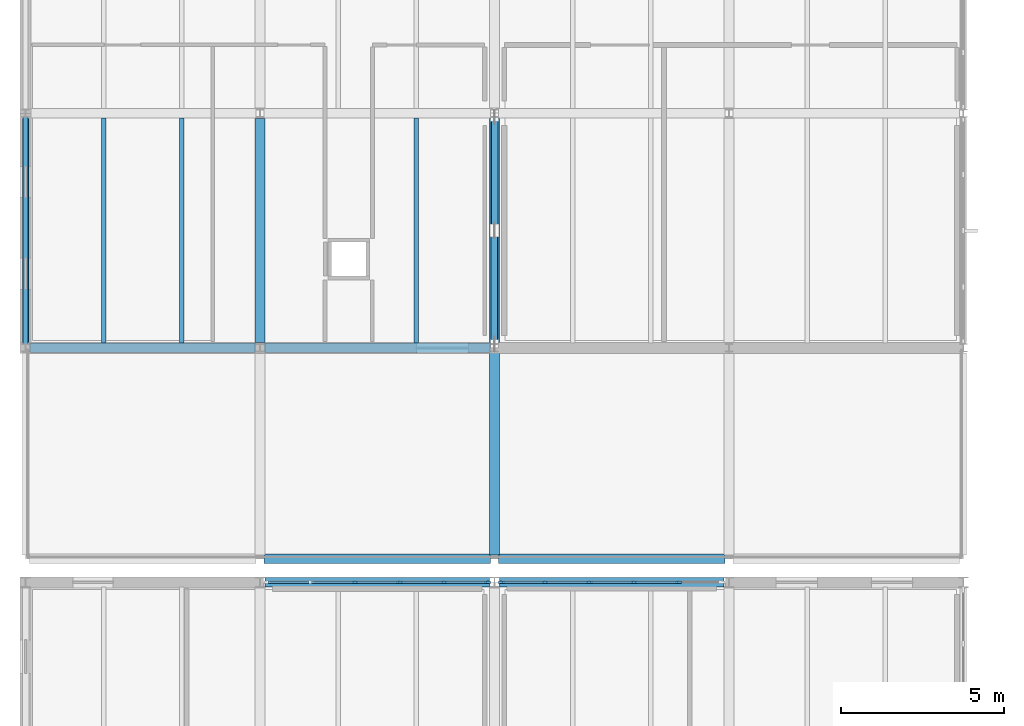
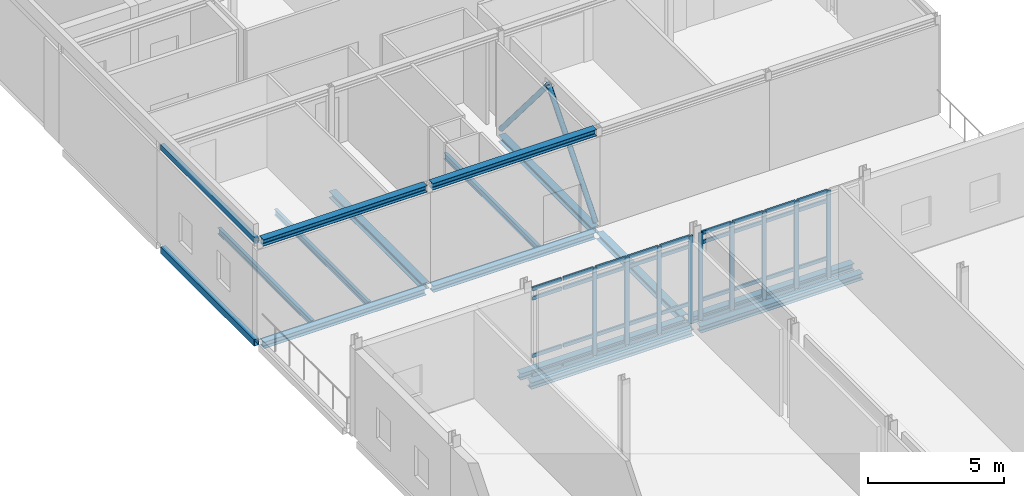
# One storey, part 14 of 53: 47 members, 16 beams, 2 elements without a shape of their own.
"""IFC4 building model written with IfcOpenShell, lengths in metres."""

from ifc_helpers import new_model, si_unit, direction, frame, origin, origin_2d, place, context, subcontext, project, spatial, rectangle, hollow_rectangle, hollow_circle, i_section, extrude, material, layer, layer_set, material_profile, profile_set, type_object, element, aggregate, save


model = new_model("IFC4")

# Units and contexts
model_context = context("Model", 3, precision=1e-05, world=origin(), true_north=direction((0.0, 1.0)))
body_context = subcontext(model_context, "Body", "Model", "MODEL_VIEW")
ifc_project = project(units=[si_unit("LENGTHUNIT", "METRE"), si_unit("AREAUNIT", "SQUARE_METRE"), si_unit("VOLUMEUNIT", "CUBIC_METRE"), si_unit("PLANEANGLEUNIT", "RADIAN"), si_unit("MASSUNIT", "GRAM", prefix="KILO")], contexts=[model_context])

# Site, building, storey
site_placement = place(None, origin())
site = spatial("IfcSite", under=ifc_project, at=site_placement, CompositionType="ELEMENT")
building_placement = place(site_placement, origin())
building = spatial("IfcBuilding", under=site, at=building_placement, Name="Zarrinpeak Specialist Clinic", CompositionType="ELEMENT")
storey_placement = place(building_placement, frame((0.0, 0.0, 14.0)))
storey = spatial("IfcBuildingStorey", under=building, at=storey_placement, Name="L03", CompositionType="ELEMENT", Elevation=14.0)

# Beams
ifc_material_1 = material(Name="Steel S355", Category="steel")
ifc_material_profile_1 = material_profile(ifc_material_1, i_section(OverallWidth=0.300048828125, OverallDepth=0.2900390625, WebThickness=0.008544921875, FlangeThickness=0.013916015625, FilletRadius=0.027099609375, at=origin_2d()), Name="HEA 300")
ifc_profile_set_1 = profile_set([ifc_material_profile_1], Name="Steel S355")
beam_type_1 = type_object("IfcBeamType", Name="BM-HEA300", PredefinedType="BEAM", material=ifc_profile_set_1)
beam_1_placement = place(storey_placement, frame((7.347900390625, 50.39990234375, -0.344970703125), z_axis=(1.0, 0.0, 0.0), x_axis=(0.0, 1.0, 0.0)))
element("IfcBeam", 1, at=beam_1_placement, inside=storey, type_object=beam_type_1, Name="L03 Primary Floor Girder BM-L03-X1546", PredefinedType="BEAM", context=body_context, shape_type="SweptSolid", body=[
    extrude(i_section(OverallWidth=0.300048828125, OverallDepth=0.2900390625, WebThickness=0.008544921875, FlangeThickness=0.013916015625, FilletRadius=0.027099609375, at=origin_2d()), origin(), (0.0, 0.0, 1.0), 6.904052734375),
])
beam_2_placement = place(storey_placement, frame((14.548095703125, 50.39990234375, -0.344970703125), z_axis=(1.0, 0.0, 0.0), x_axis=(0.0, 1.0, 0.0)))
element("IfcBeam", 2, at=beam_2_placement, inside=storey, type_object=beam_type_1, Name="L03 Primary Floor Girder BM-L03-X1547", PredefinedType="BEAM", context=body_context, shape_type="SweptSolid", body=[
    extrude(i_section(OverallWidth=0.300048828125, OverallDepth=0.2900390625, WebThickness=0.008544921875, FlangeThickness=0.013916015625, FilletRadius=0.027099609375, at=origin_2d()), origin(), (0.0, 0.0, 1.0), 6.90380859375),
])
for number, where, z_axis, x_axis, name in (
    (3, (7.318115234375, 51.1201171875, -0.364990234375), (1.0, 0.0, 0.0), (0.0, 1.0, 0.0), "L03 Primary Floor Girder BM-L03-X1550"),
    (4, (14.51806640625, 51.1201171875, -0.364990234375), (1.0, 0.0, 0.0), (0.0, 1.0, 0.0), "L03 Primary Floor Girder BM-L03-X1551"),
):
    element("IfcBeam", number, at=place(storey_placement, frame(where, z_axis=z_axis, x_axis=x_axis)), inside=storey, type_object=beam_type_1, Name=name, PredefinedType="BEAM", context=body_context, shape_type="SweptSolid", body=[
        extrude(i_section(OverallWidth=0.300048828125, OverallDepth=0.2900390625, WebThickness=0.008544921875, FlangeThickness=0.013916015625, FilletRadius=0.027099609375, at=origin_2d()), origin(), (0.0, 0.0, 1.0), 6.9638671875),
    ])
for number, where, z_axis, x_axis, name in (
    (5, (0.14794921875, 57.60009765625, -0.364990234375), (1.0, 0.0, 0.0), (0.0, 1.0, 0.0), "L03 Primary Floor Girder BM-L03-X1553"),
    (6, (7.347900390625, 57.60009765625, -0.364990234375), (1.0, 0.0, 0.0), (0.0, 1.0, 0.0), "L03 Primary Floor Girder BM-L03-X1554"),
):
    element("IfcBeam", number, at=place(storey_placement, frame(where, z_axis=z_axis, x_axis=x_axis)), inside=storey, type_object=beam_type_1, Name=name, PredefinedType="BEAM", context=body_context, shape_type="SweptSolid", body=[
        extrude(i_section(OverallWidth=0.300048828125, OverallDepth=0.2900390625, WebThickness=0.008544921875, FlangeThickness=0.013916015625, FilletRadius=0.027099609375, at=origin_2d()), origin(), (0.0, 0.0, 1.0), 6.904052734375),
    ])
beam_3_placement = place(storey_placement, frame((7.199951171875, 57.758056640625, -0.344970703125), z_axis=(0.0, 1.0, 0.0), x_axis=(-1.0, 0.0, 0.0)))
element("IfcBeam", 7, at=beam_3_placement, inside=storey, type_object=beam_type_1, Name="L03 Primary Beam BM-L03-Y1608", PredefinedType="BEAM", context=body_context, shape_type="SweptSolid", body=[
    extrude(i_section(OverallWidth=0.300048828125, OverallDepth=0.2900390625, WebThickness=0.008544921875, FlangeThickness=0.013916015625, FilletRadius=0.027099609375, at=origin_2d()), origin(), (0.0, 0.0, 1.0), 6.884033203125),
])
beam_4_placement = place(storey_placement, frame((14.39990234375, 51.238037109375, -0.364990234375), z_axis=(0.0, 1.0, 0.0), x_axis=(-1.0, 0.0, 0.0)))
element("IfcBeam", 8, at=beam_4_placement, inside=storey, type_object=beam_type_1, Name="L03 Primary Beam BM-L03-Y1619", PredefinedType="BEAM", context=body_context, shape_type="SweptSolid", body=[
    extrude(i_section(OverallWidth=0.300048828125, OverallDepth=0.2900390625, WebThickness=0.008544921875, FlangeThickness=0.013916015625, FilletRadius=0.027099609375, at=origin_2d()), origin(), (0.0, 0.0, 1.0), 6.203857421875),
])
beam_5_placement = place(storey_placement, frame((14.39990234375, 57.758056640625, -0.344970703125), z_axis=(0.0, 1.0, 0.0), x_axis=(-1.0, 0.0, 0.0)))
element("IfcBeam", 9, at=beam_5_placement, inside=storey, type_object=beam_type_1, Name="L03 Primary Beam BM-L03-Y1620", PredefinedType="BEAM", context=body_context, shape_type="SweptSolid", body=[
    extrude(i_section(OverallWidth=0.300048828125, OverallDepth=0.2900390625, WebThickness=0.008544921875, FlangeThickness=0.013916015625, FilletRadius=0.027099609375, at=origin_2d()), origin(), (0.0, 0.0, 1.0), 6.884033203125),
])
beam_6_placement = place(storey_placement, frame((0.117919921875, 57.60009765625, 4.25), z_axis=(1.0, 0.0, 0.0), x_axis=(0.0, 1.0, 0.0)))
element("IfcBeam", 10, at=beam_6_placement, inside=storey, type_object=beam_type_1, Name="L03 Gable Eave Tie Girder V5 BM-RF-EAVE-2423", PredefinedType="BEAM", context=body_context, shape_type="SweptSolid", body=[
    extrude(i_section(OverallWidth=0.300048828125, OverallDepth=0.2900390625, WebThickness=0.008544921875, FlangeThickness=0.013916015625, FilletRadius=0.027099609375, at=origin_2d()), origin(), (0.0, 0.0, 1.0), 6.964111328125),
])
beam_7_placement = place(storey_placement, frame((7.318115234375, 57.60009765625, 4.25), z_axis=(1.0, 0.0, 0.0), x_axis=(0.0, 1.0, 0.0)))
element("IfcBeam", 11, at=beam_7_placement, inside=storey, type_object=beam_type_1, Name="L03 Gable Eave Tie Girder V5 BM-RF-EAVE-2424", PredefinedType="BEAM", context=body_context, shape_type="SweptSolid", body=[
    extrude(i_section(OverallWidth=0.300048828125, OverallDepth=0.2900390625, WebThickness=0.008544921875, FlangeThickness=0.013916015625, FilletRadius=0.027099609375, at=origin_2d()), origin(), (0.0, 0.0, 1.0), 6.9638671875),
])
ifc_material_profile_2 = material_profile(ifc_material_1, i_section(OverallWidth=0.135009765625, OverallDepth=0.27001953125, WebThickness=0.006591796875, FlangeThickness=0.01025390625, FilletRadius=0.014892578125, at=origin_2d()), Name="IPE 270")
ifc_profile_set_2 = profile_set([ifc_material_profile_2], Name="Steel S355")
beam_type_2 = type_object("IfcBeamType", Name="BM-JST270", PredefinedType="JOIST", material=ifc_profile_set_2)
for number, where, z_axis, x_axis, name in (
    (12, (2.39990234375, 57.748046875, -0.3349609375), (0.0, 1.0, 0.0), (-1.0, 0.0, 0.0), "L03 Composite Floor Joist JST-L03-1761"),
    (13, (4.800048828125, 57.748046875, -0.3349609375), (0.0, 1.0, 0.0), (-1.0, 0.0, 0.0), "L03 Composite Floor Joist JST-L03-1762"),
    (14, (12.0, 57.748046875, -0.3349609375), (0.0, 1.0, 0.0), (-1.0, 0.0, 0.0), "L03 Composite Floor Joist JST-L03-1765"),
):
    element("IfcBeam", number, at=place(storey_placement, frame(where, z_axis=z_axis, x_axis=x_axis)), inside=storey, type_object=beam_type_2, Name=name, PredefinedType="JOIST", context=body_context, shape_type="SweptSolid", body=[
        extrude(i_section(OverallWidth=0.135009765625, OverallDepth=0.27001953125, WebThickness=0.006591796875, FlangeThickness=0.01025390625, FilletRadius=0.014892578125, at=origin_2d()), origin(), (0.0, 0.0, 1.0), 6.904052734375),
    ])
ifc_material_profile_3 = material_profile(ifc_material_1, hollow_rectangle(XDim=0.14990234375, YDim=0.25, WallThickness=0.010009765625, at=origin_2d()), Name="RHS 250x150x10.0")
ifc_profile_set_3 = profile_set([ifc_material_profile_3], Name="Steel S355")
beam_type_3 = type_object("IfcBeamType", Name="BM-SP250", PredefinedType="SPANDREL", material=ifc_profile_set_3)
beam_8_placement = place(storey_placement, frame((0.0, 57.718017578125, 4.25), z_axis=(0.0, 1.0, 0.0), x_axis=(-1.0, 0.0, 0.0)))
element("IfcBeam", 15, at=beam_8_placement, inside=storey, type_object=beam_type_3, Name="L03 Gable Eave Spandrel Beam V5 BM-RF-SP-2441", PredefinedType="SPANDREL", context=body_context, shape_type="SweptSolid", body=[
    extrude(hollow_rectangle(XDim=0.14990234375, YDim=0.25, WallThickness=0.010009765625, at=origin_2d()), origin(), (0.0, 0.0, 1.0), 6.9638671875),
])
ifc_material_profile_4 = material_profile(ifc_material_1, hollow_rectangle(XDim=0.199951171875, YDim=0.300048828125, WallThickness=0.012451171875, at=origin_2d()), Name="RHS 300x200x12.5")
ifc_profile_set_4 = profile_set([ifc_material_profile_4], Name="Steel S355")
beam_type_4 = type_object("IfcBeamType", Name="BM-SP300", PredefinedType="SPANDREL", material=ifc_profile_set_4)
beam_9_placement = place(storey_placement, frame((0.0, 57.758056640625, -0.35009765625), z_axis=(0.0, 1.0, 0.0), x_axis=(-1.0, 0.0, 0.0)))
element("IfcBeam", 16, at=beam_9_placement, inside=storey, type_object=beam_type_4, Name="L03 Perimeter Spandrel Beam BM-L03-Y1598", PredefinedType="SPANDREL", context=body_context, shape_type="SweptSolid", body=[
    extrude(hollow_rectangle(XDim=0.199951171875, YDim=0.300048828125, WallThickness=0.012451171875, at=origin_2d()), origin(), (0.0, 0.0, 1.0), 6.884033203125),
])

# Curtain wall, members
ifc_material_2 = material(Name="Anodised Aluminium Alloy 6063-T6", Category="aluminium")
ifc_layer = layer(ifc_material_2, 0.1650390625)
ifc_layer_set = layer_set([ifc_layer], Name="Anodised Aluminium Alloy 6063-T6")
curtain_wall_type = type_object("IfcCurtainWallType", Name="CW-CLINIC", PredefinedType="NOTDEFINED", material=ifc_layer_set)
curtain_wall_1_placement = place(storey_placement, origin())
curtain_wall_1 = element("IfcCurtainWall", 17, at=curtain_wall_1_placement, inside=storey, type_object=curtain_wall_type, Name="L03 V1 Unitised Curtain Wall CW-L03-V1-019", PredefinedType="NOTDEFINED")
ifc_material_profile_5 = material_profile(ifc_material_2, rectangle(XDim=0.074951171875, YDim=0.179931640625, at=origin_2d()), Name="ALU 75x180")
ifc_profile_set_5 = profile_set([ifc_material_profile_5], Name="Anodised Aluminium Alloy 6063-T6")
member_type_1 = type_object("IfcMemberType", Name="CWM-75", PredefinedType="MULLION", material=ifc_profile_set_5)
member_1_placement = place(storey_placement, frame((14.1875, 50.39990234375, 0.0), z_axis=(0.0, 0.0, 1.0), x_axis=(0.0, -1.0, 0.0)))
member_1 = element("IfcMember", 18, at=member_1_placement, type_object=member_type_1, Name="CW-03 mullion 1", PredefinedType="MULLION", context=body_context, shape_type="SweptSolid", body=[
    extrude(rectangle(XDim=0.074951171875, YDim=0.179931640625, at=origin_2d()), origin(), (0.0, 0.0, 1.0), 3.93505859375),
])
member_2_placement = place(storey_placement, frame((12.85498046875, 50.39990234375, 0.0), z_axis=(0.0, 0.0, 1.0), x_axis=(0.0, -1.0, 0.0)))
member_2 = element("IfcMember", 19, at=member_2_placement, type_object=member_type_1, Name="CW-03 mullion 2", PredefinedType="MULLION", context=body_context, shape_type="SweptSolid", body=[
    extrude(rectangle(XDim=0.074951171875, YDim=0.179931640625, at=origin_2d()), origin(), (0.0, 0.0, 1.0), 3.93505859375),
])
member_3_placement = place(storey_placement, frame((11.485107421875, 50.39990234375, 0.0), z_axis=(0.0, 0.0, 1.0), x_axis=(0.0, -1.0, 0.0)))
member_3 = element("IfcMember", 20, at=member_3_placement, type_object=member_type_1, Name="CW-03 mullion 3", PredefinedType="MULLION", context=body_context, shape_type="SweptSolid", body=[
    extrude(rectangle(XDim=0.074951171875, YDim=0.179931640625, at=origin_2d()), origin(), (0.0, 0.0, 1.0), 3.93505859375),
])
member_4_placement = place(storey_placement, frame((10.114990234375, 50.39990234375, 0.0), z_axis=(0.0, 0.0, 1.0), x_axis=(0.0, -1.0, 0.0)))
member_4 = element("IfcMember", 21, at=member_4_placement, type_object=member_type_1, Name="CW-03 mullion 4", PredefinedType="MULLION", context=body_context, shape_type="SweptSolid", body=[
    extrude(rectangle(XDim=0.074951171875, YDim=0.179931640625, at=origin_2d()), origin(), (0.0, 0.0, 1.0), 3.93505859375),
])

curtain_wall_2_placement = place(storey_placement, origin())
curtain_wall_2 = element("IfcCurtainWall", 22, at=curtain_wall_2_placement, inside=storey, type_object=curtain_wall_type, Name="L03 V1 Unitised Curtain Wall CW-L03-V1-020", PredefinedType="NOTDEFINED")
member_5_placement = place(storey_placement, frame((20.054931640625, 50.39990234375, 0.0), z_axis=(0.0, 0.0, 1.0), x_axis=(0.0, -1.0, 0.0)))
member_5 = element("IfcMember", 23, at=member_5_placement, type_object=member_type_1, Name="CW-03 mullion 2", PredefinedType="MULLION", context=body_context, shape_type="SweptSolid", body=[
    extrude(rectangle(XDim=0.074951171875, YDim=0.179931640625, at=origin_2d()), origin(), (0.0, 0.0, 1.0), 3.93505859375),
])
member_6_placement = place(storey_placement, frame((18.68505859375, 50.39990234375, 0.0), z_axis=(0.0, 0.0, 1.0), x_axis=(0.0, -1.0, 0.0)))
member_6 = element("IfcMember", 24, at=member_6_placement, type_object=member_type_1, Name="CW-03 mullion 3", PredefinedType="MULLION", context=body_context, shape_type="SweptSolid", body=[
    extrude(rectangle(XDim=0.074951171875, YDim=0.179931640625, at=origin_2d()), origin(), (0.0, 0.0, 1.0), 3.93505859375),
])
member_7_placement = place(storey_placement, frame((17.31494140625, 50.39990234375, 0.0), z_axis=(0.0, 0.0, 1.0), x_axis=(0.0, -1.0, 0.0)))
member_7 = element("IfcMember", 25, at=member_7_placement, type_object=member_type_1, Name="CW-03 mullion 4", PredefinedType="MULLION", context=body_context, shape_type="SweptSolid", body=[
    extrude(rectangle(XDim=0.074951171875, YDim=0.179931640625, at=origin_2d()), origin(), (0.0, 0.0, 1.0), 3.93505859375),
])
member_8_placement = place(storey_placement, frame((15.945068359375, 50.39990234375, 0.0), z_axis=(0.0, 0.0, 1.0), x_axis=(0.0, -1.0, 0.0)))
member_8 = element("IfcMember", 26, at=member_8_placement, type_object=member_type_1, Name="CW-03 mullion 5", PredefinedType="MULLION", context=body_context, shape_type="SweptSolid", body=[
    extrude(rectangle(XDim=0.074951171875, YDim=0.179931640625, at=origin_2d()), origin(), (0.0, 0.0, 1.0), 3.93505859375),
])
member_9_placement = place(storey_placement, frame((14.612548828125, 50.39990234375, 0.0), z_axis=(0.0, 0.0, 1.0), x_axis=(0.0, -1.0, 0.0)))
member_9 = element("IfcMember", 27, at=member_9_placement, type_object=member_type_1, Name="CW-03 mullion 6", PredefinedType="MULLION", context=body_context, shape_type="SweptSolid", body=[
    extrude(rectangle(XDim=0.074951171875, YDim=0.179931640625, at=origin_2d()), origin(), (0.0, 0.0, 1.0), 3.93505859375),
])

# Member
ifc_material_profile_6 = material_profile(ifc_material_2, rectangle(XDim=0.074951171875, YDim=0.159912109375, at=origin_2d()), Name="ALU 75x160")
ifc_profile_set_6 = profile_set([ifc_material_profile_6], Name="Anodised Aluminium Alloy 6063-T6")
member_type_2 = type_object("IfcMemberType", Name="CWT-75", PredefinedType="USERDEFINED", material=ifc_profile_set_6)
member_10_placement = place(storey_placement, frame((14.14990234375, 50.39990234375, 0.03759765625), z_axis=(-1.0, 0.0, 0.0), x_axis=(0.0, -1.0, 0.0)))
member_10 = element("IfcMember", 28, at=member_10_placement, type_object=member_type_2, Name="CW-03 transom 1.1", ObjectType="TRANSOM", PredefinedType="USERDEFINED", context=body_context, shape_type="SweptSolid", body=[
    extrude(rectangle(XDim=0.074951171875, YDim=0.159912109375, at=origin_2d()), origin(), (0.0, 0.0, 1.0), 1.25732421875),
])

member_11_placement = place(storey_placement, frame((14.14990234375, 50.39990234375, 0.89990234375), z_axis=(-1.0, 0.0, 0.0), x_axis=(0.0, -1.0, 0.0)))
member_11 = element("IfcMember", 29, at=member_11_placement, type_object=member_type_2, Name="CW-03 transom 1.2", ObjectType="TRANSOM", PredefinedType="USERDEFINED", context=body_context, shape_type="SweptSolid", body=[
    extrude(rectangle(XDim=0.074951171875, YDim=0.159912109375, at=origin_2d()), origin(), (0.0, 0.0, 1.0), 1.25732421875),
])

member_12_placement = place(storey_placement, frame((14.14990234375, 50.39990234375, 3.485107421875), z_axis=(-1.0, 0.0, 0.0), x_axis=(0.0, -1.0, 0.0)))
member_12 = element("IfcMember", 30, at=member_12_placement, type_object=member_type_2, Name="CW-03 transom 1.3", ObjectType="TRANSOM", PredefinedType="USERDEFINED", context=body_context, shape_type="SweptSolid", body=[
    extrude(rectangle(XDim=0.074951171875, YDim=0.159912109375, at=origin_2d()), origin(), (0.0, 0.0, 1.0), 1.25732421875),
])

member_13_placement = place(storey_placement, frame((14.14990234375, 50.39990234375, 3.8974609375), z_axis=(-1.0, 0.0, 0.0), x_axis=(0.0, -1.0, 0.0)))
member_13 = element("IfcMember", 31, at=member_13_placement, type_object=member_type_2, Name="CW-03 transom 1.4", ObjectType="TRANSOM", PredefinedType="USERDEFINED", context=body_context, shape_type="SweptSolid", body=[
    extrude(rectangle(XDim=0.074951171875, YDim=0.159912109375, at=origin_2d()), origin(), (0.0, 0.0, 1.0), 1.25732421875),
])

member_14_placement = place(storey_placement, frame((12.8173828125, 50.39990234375, 0.03759765625), z_axis=(-1.0, 0.0, 0.0), x_axis=(0.0, -1.0, 0.0)))
member_14 = element("IfcMember", 32, at=member_14_placement, type_object=member_type_2, Name="CW-03 transom 2.1", ObjectType="TRANSOM", PredefinedType="USERDEFINED", context=body_context, shape_type="SweptSolid", body=[
    extrude(rectangle(XDim=0.074951171875, YDim=0.159912109375, at=origin_2d()), origin(), (0.0, 0.0, 1.0), 1.294921875),
])

member_15_placement = place(storey_placement, frame((12.8173828125, 50.39990234375, 0.89990234375), z_axis=(-1.0, 0.0, 0.0), x_axis=(0.0, -1.0, 0.0)))
member_15 = element("IfcMember", 33, at=member_15_placement, type_object=member_type_2, Name="CW-03 transom 2.2", ObjectType="TRANSOM", PredefinedType="USERDEFINED", context=body_context, shape_type="SweptSolid", body=[
    extrude(rectangle(XDim=0.074951171875, YDim=0.159912109375, at=origin_2d()), origin(), (0.0, 0.0, 1.0), 1.294921875),
])

member_16_placement = place(storey_placement, frame((12.8173828125, 50.39990234375, 3.485107421875), z_axis=(-1.0, 0.0, 0.0), x_axis=(0.0, -1.0, 0.0)))
member_16 = element("IfcMember", 34, at=member_16_placement, type_object=member_type_2, Name="CW-03 transom 2.3", ObjectType="TRANSOM", PredefinedType="USERDEFINED", context=body_context, shape_type="SweptSolid", body=[
    extrude(rectangle(XDim=0.074951171875, YDim=0.159912109375, at=origin_2d()), origin(), (0.0, 0.0, 1.0), 1.294921875),
])

member_17_placement = place(storey_placement, frame((12.8173828125, 50.39990234375, 3.8974609375), z_axis=(-1.0, 0.0, 0.0), x_axis=(0.0, -1.0, 0.0)))
member_17 = element("IfcMember", 35, at=member_17_placement, type_object=member_type_2, Name="CW-03 transom 2.4", ObjectType="TRANSOM", PredefinedType="USERDEFINED", context=body_context, shape_type="SweptSolid", body=[
    extrude(rectangle(XDim=0.074951171875, YDim=0.159912109375, at=origin_2d()), origin(), (0.0, 0.0, 1.0), 1.294921875),
])

member_18_placement = place(storey_placement, frame((11.447509765625, 50.39990234375, 0.03759765625), z_axis=(-1.0, 0.0, 0.0), x_axis=(0.0, -1.0, 0.0)))
member_18 = element("IfcMember", 36, at=member_18_placement, type_object=member_type_2, Name="CW-03 transom 3.1", ObjectType="TRANSOM", PredefinedType="USERDEFINED", context=body_context, shape_type="SweptSolid", body=[
    extrude(rectangle(XDim=0.074951171875, YDim=0.159912109375, at=origin_2d()), origin(), (0.0, 0.0, 1.0), 1.294921875),
])

member_19_placement = place(storey_placement, frame((11.447509765625, 50.39990234375, 0.89990234375), z_axis=(-1.0, 0.0, 0.0), x_axis=(0.0, -1.0, 0.0)))
member_19 = element("IfcMember", 37, at=member_19_placement, type_object=member_type_2, Name="CW-03 transom 3.2", ObjectType="TRANSOM", PredefinedType="USERDEFINED", context=body_context, shape_type="SweptSolid", body=[
    extrude(rectangle(XDim=0.074951171875, YDim=0.159912109375, at=origin_2d()), origin(), (0.0, 0.0, 1.0), 1.294921875),
])

member_20_placement = place(storey_placement, frame((11.447509765625, 50.39990234375, 3.485107421875), z_axis=(-1.0, 0.0, 0.0), x_axis=(0.0, -1.0, 0.0)))
member_20 = element("IfcMember", 38, at=member_20_placement, type_object=member_type_2, Name="CW-03 transom 3.3", ObjectType="TRANSOM", PredefinedType="USERDEFINED", context=body_context, shape_type="SweptSolid", body=[
    extrude(rectangle(XDim=0.074951171875, YDim=0.159912109375, at=origin_2d()), origin(), (0.0, 0.0, 1.0), 1.294921875),
])

member_21_placement = place(storey_placement, frame((11.447509765625, 50.39990234375, 3.8974609375), z_axis=(-1.0, 0.0, 0.0), x_axis=(0.0, -1.0, 0.0)))
member_21 = element("IfcMember", 39, at=member_21_placement, type_object=member_type_2, Name="CW-03 transom 3.4", ObjectType="TRANSOM", PredefinedType="USERDEFINED", context=body_context, shape_type="SweptSolid", body=[
    extrude(rectangle(XDim=0.074951171875, YDim=0.159912109375, at=origin_2d()), origin(), (0.0, 0.0, 1.0), 1.294921875),
])

member_22_placement = place(storey_placement, frame((10.077392578125, 50.39990234375, 0.03759765625), z_axis=(-1.0, 0.0, 0.0), x_axis=(0.0, -1.0, 0.0)))
member_22 = element("IfcMember", 40, at=member_22_placement, type_object=member_type_2, Name="CW-03 transom 4.1", ObjectType="TRANSOM", PredefinedType="USERDEFINED", context=body_context, shape_type="SweptSolid", body=[
    extrude(rectangle(XDim=0.074951171875, YDim=0.159912109375, at=origin_2d()), origin(), (0.0, 0.0, 1.0), 1.294921875),
])

member_23_placement = place(storey_placement, frame((10.077392578125, 50.39990234375, 0.89990234375), z_axis=(-1.0, 0.0, 0.0), x_axis=(0.0, -1.0, 0.0)))
member_23 = element("IfcMember", 41, at=member_23_placement, type_object=member_type_2, Name="CW-03 transom 4.2", ObjectType="TRANSOM", PredefinedType="USERDEFINED", context=body_context, shape_type="SweptSolid", body=[
    extrude(rectangle(XDim=0.074951171875, YDim=0.159912109375, at=origin_2d()), origin(), (0.0, 0.0, 1.0), 1.294921875),
])

member_24_placement = place(storey_placement, frame((10.077392578125, 50.39990234375, 3.485107421875), z_axis=(-1.0, 0.0, 0.0), x_axis=(0.0, -1.0, 0.0)))
member_24 = element("IfcMember", 42, at=member_24_placement, type_object=member_type_2, Name="CW-03 transom 4.3", ObjectType="TRANSOM", PredefinedType="USERDEFINED", context=body_context, shape_type="SweptSolid", body=[
    extrude(rectangle(XDim=0.074951171875, YDim=0.159912109375, at=origin_2d()), origin(), (0.0, 0.0, 1.0), 1.294921875),
])

member_25_placement = place(storey_placement, frame((10.077392578125, 50.39990234375, 3.8974609375), z_axis=(-1.0, 0.0, 0.0), x_axis=(0.0, -1.0, 0.0)))
member_25 = element("IfcMember", 43, at=member_25_placement, type_object=member_type_2, Name="CW-03 transom 4.4", ObjectType="TRANSOM", PredefinedType="USERDEFINED", context=body_context, shape_type="SweptSolid", body=[
    extrude(rectangle(XDim=0.074951171875, YDim=0.159912109375, at=origin_2d()), origin(), (0.0, 0.0, 1.0), 1.294921875),
])

member_26_placement = place(storey_placement, frame((8.70751953125, 50.39990234375, 0.03759765625), z_axis=(-1.0, 0.0, 0.0), x_axis=(0.0, -1.0, 0.0)))
member_26 = element("IfcMember", 44, at=member_26_placement, type_object=member_type_2, Name="CW-03 transom 5.1", ObjectType="TRANSOM", PredefinedType="USERDEFINED", context=body_context, shape_type="SweptSolid", body=[
    extrude(rectangle(XDim=0.074951171875, YDim=0.159912109375, at=origin_2d()), origin(), (0.0, 0.0, 1.0), 1.257568359375),
])

member_27_placement = place(storey_placement, frame((8.70751953125, 50.39990234375, 0.89990234375), z_axis=(-1.0, 0.0, 0.0), x_axis=(0.0, -1.0, 0.0)))
member_27 = element("IfcMember", 45, at=member_27_placement, type_object=member_type_2, Name="CW-03 transom 5.2", ObjectType="TRANSOM", PredefinedType="USERDEFINED", context=body_context, shape_type="SweptSolid", body=[
    extrude(rectangle(XDim=0.074951171875, YDim=0.159912109375, at=origin_2d()), origin(), (0.0, 0.0, 1.0), 1.257568359375),
])

member_28_placement = place(storey_placement, frame((8.70751953125, 50.39990234375, 3.485107421875), z_axis=(-1.0, 0.0, 0.0), x_axis=(0.0, -1.0, 0.0)))
member_28 = element("IfcMember", 46, at=member_28_placement, type_object=member_type_2, Name="CW-03 transom 5.3", ObjectType="TRANSOM", PredefinedType="USERDEFINED", context=body_context, shape_type="SweptSolid", body=[
    extrude(rectangle(XDim=0.074951171875, YDim=0.159912109375, at=origin_2d()), origin(), (0.0, 0.0, 1.0), 1.257568359375),
])

member_29_placement = place(storey_placement, frame((8.70751953125, 50.39990234375, 3.8974609375), z_axis=(-1.0, 0.0, 0.0), x_axis=(0.0, -1.0, 0.0)))
member_29 = element("IfcMember", 47, at=member_29_placement, type_object=member_type_2, Name="CW-03 transom 5.4", ObjectType="TRANSOM", PredefinedType="USERDEFINED", context=body_context, shape_type="SweptSolid", body=[
    extrude(rectangle(XDim=0.074951171875, YDim=0.159912109375, at=origin_2d()), origin(), (0.0, 0.0, 1.0), 1.257568359375),
])

aggregate(curtain_wall_1, [member_1, member_2, member_3, member_4, member_10, member_11, member_12, member_13, member_14, member_15, member_16, member_17, member_18, member_19, member_20, member_21, member_22, member_23, member_24, member_25, member_26, member_27, member_28, member_29])

member_30_placement = place(storey_placement, frame((20.017578125, 50.39990234375, 0.03759765625), z_axis=(-1.0, 0.0, 0.0), x_axis=(0.0, -1.0, 0.0)))
member_30 = element("IfcMember", 48, at=member_30_placement, type_object=member_type_2, Name="CW-03 transom 2.1", ObjectType="TRANSOM", PredefinedType="USERDEFINED", context=body_context, shape_type="SweptSolid", body=[
    extrude(rectangle(XDim=0.074951171875, YDim=0.159912109375, at=origin_2d()), origin(), (0.0, 0.0, 1.0), 1.295166015625),
])

member_31_placement = place(storey_placement, frame((20.017578125, 50.39990234375, 0.89990234375), z_axis=(-1.0, 0.0, 0.0), x_axis=(0.0, -1.0, 0.0)))
member_31 = element("IfcMember", 49, at=member_31_placement, type_object=member_type_2, Name="CW-03 transom 2.2", ObjectType="TRANSOM", PredefinedType="USERDEFINED", context=body_context, shape_type="SweptSolid", body=[
    extrude(rectangle(XDim=0.074951171875, YDim=0.159912109375, at=origin_2d()), origin(), (0.0, 0.0, 1.0), 1.295166015625),
])

member_32_placement = place(storey_placement, frame((20.017578125, 50.39990234375, 3.485107421875), z_axis=(-1.0, 0.0, 0.0), x_axis=(0.0, -1.0, 0.0)))
member_32 = element("IfcMember", 50, at=member_32_placement, type_object=member_type_2, Name="CW-03 transom 2.3", ObjectType="TRANSOM", PredefinedType="USERDEFINED", context=body_context, shape_type="SweptSolid", body=[
    extrude(rectangle(XDim=0.074951171875, YDim=0.159912109375, at=origin_2d()), origin(), (0.0, 0.0, 1.0), 1.295166015625),
])

member_33_placement = place(storey_placement, frame((20.017578125, 50.39990234375, 3.8974609375), z_axis=(-1.0, 0.0, 0.0), x_axis=(0.0, -1.0, 0.0)))
member_33 = element("IfcMember", 51, at=member_33_placement, type_object=member_type_2, Name="CW-03 transom 2.4", ObjectType="TRANSOM", PredefinedType="USERDEFINED", context=body_context, shape_type="SweptSolid", body=[
    extrude(rectangle(XDim=0.074951171875, YDim=0.159912109375, at=origin_2d()), origin(), (0.0, 0.0, 1.0), 1.295166015625),
])

member_34_placement = place(storey_placement, frame((18.6474609375, 50.39990234375, 0.03759765625), z_axis=(-1.0, 0.0, 0.0), x_axis=(0.0, -1.0, 0.0)))
member_34 = element("IfcMember", 52, at=member_34_placement, type_object=member_type_2, Name="CW-03 transom 3.1", ObjectType="TRANSOM", PredefinedType="USERDEFINED", context=body_context, shape_type="SweptSolid", body=[
    extrude(rectangle(XDim=0.074951171875, YDim=0.159912109375, at=origin_2d()), origin(), (0.0, 0.0, 1.0), 1.294921875),
])

member_35_placement = place(storey_placement, frame((18.6474609375, 50.39990234375, 0.89990234375), z_axis=(-1.0, 0.0, 0.0), x_axis=(0.0, -1.0, 0.0)))
member_35 = element("IfcMember", 53, at=member_35_placement, type_object=member_type_2, Name="CW-03 transom 3.2", ObjectType="TRANSOM", PredefinedType="USERDEFINED", context=body_context, shape_type="SweptSolid", body=[
    extrude(rectangle(XDim=0.074951171875, YDim=0.159912109375, at=origin_2d()), origin(), (0.0, 0.0, 1.0), 1.294921875),
])

member_36_placement = place(storey_placement, frame((18.6474609375, 50.39990234375, 3.485107421875), z_axis=(-1.0, 0.0, 0.0), x_axis=(0.0, -1.0, 0.0)))
member_36 = element("IfcMember", 54, at=member_36_placement, type_object=member_type_2, Name="CW-03 transom 3.3", ObjectType="TRANSOM", PredefinedType="USERDEFINED", context=body_context, shape_type="SweptSolid", body=[
    extrude(rectangle(XDim=0.074951171875, YDim=0.159912109375, at=origin_2d()), origin(), (0.0, 0.0, 1.0), 1.294921875),
])

member_37_placement = place(storey_placement, frame((18.6474609375, 50.39990234375, 3.8974609375), z_axis=(-1.0, 0.0, 0.0), x_axis=(0.0, -1.0, 0.0)))
member_37 = element("IfcMember", 55, at=member_37_placement, type_object=member_type_2, Name="CW-03 transom 3.4", ObjectType="TRANSOM", PredefinedType="USERDEFINED", context=body_context, shape_type="SweptSolid", body=[
    extrude(rectangle(XDim=0.074951171875, YDim=0.159912109375, at=origin_2d()), origin(), (0.0, 0.0, 1.0), 1.294921875),
])

member_38_placement = place(storey_placement, frame((17.277587890625, 50.39990234375, 0.03759765625), z_axis=(-1.0, 0.0, 0.0), x_axis=(0.0, -1.0, 0.0)))
member_38 = element("IfcMember", 56, at=member_38_placement, type_object=member_type_2, Name="CW-03 transom 4.1", ObjectType="TRANSOM", PredefinedType="USERDEFINED", context=body_context, shape_type="SweptSolid", body=[
    extrude(rectangle(XDim=0.074951171875, YDim=0.159912109375, at=origin_2d()), origin(), (0.0, 0.0, 1.0), 1.295166015625),
])

member_39_placement = place(storey_placement, frame((17.277587890625, 50.39990234375, 0.89990234375), z_axis=(-1.0, 0.0, 0.0), x_axis=(0.0, -1.0, 0.0)))
member_39 = element("IfcMember", 57, at=member_39_placement, type_object=member_type_2, Name="CW-03 transom 4.2", ObjectType="TRANSOM", PredefinedType="USERDEFINED", context=body_context, shape_type="SweptSolid", body=[
    extrude(rectangle(XDim=0.074951171875, YDim=0.159912109375, at=origin_2d()), origin(), (0.0, 0.0, 1.0), 1.295166015625),
])

member_40_placement = place(storey_placement, frame((17.277587890625, 50.39990234375, 3.485107421875), z_axis=(-1.0, 0.0, 0.0), x_axis=(0.0, -1.0, 0.0)))
member_40 = element("IfcMember", 58, at=member_40_placement, type_object=member_type_2, Name="CW-03 transom 4.3", ObjectType="TRANSOM", PredefinedType="USERDEFINED", context=body_context, shape_type="SweptSolid", body=[
    extrude(rectangle(XDim=0.074951171875, YDim=0.159912109375, at=origin_2d()), origin(), (0.0, 0.0, 1.0), 1.295166015625),
])

member_41_placement = place(storey_placement, frame((17.277587890625, 50.39990234375, 3.8974609375), z_axis=(-1.0, 0.0, 0.0), x_axis=(0.0, -1.0, 0.0)))
member_41 = element("IfcMember", 59, at=member_41_placement, type_object=member_type_2, Name="CW-03 transom 4.4", ObjectType="TRANSOM", PredefinedType="USERDEFINED", context=body_context, shape_type="SweptSolid", body=[
    extrude(rectangle(XDim=0.074951171875, YDim=0.159912109375, at=origin_2d()), origin(), (0.0, 0.0, 1.0), 1.295166015625),
])

member_42_placement = place(storey_placement, frame((15.907470703125, 50.39990234375, 0.03759765625), z_axis=(-1.0, 0.0, 0.0), x_axis=(0.0, -1.0, 0.0)))
member_42 = element("IfcMember", 60, at=member_42_placement, type_object=member_type_2, Name="CW-03 transom 5.1", ObjectType="TRANSOM", PredefinedType="USERDEFINED", context=body_context, shape_type="SweptSolid", body=[
    extrude(rectangle(XDim=0.074951171875, YDim=0.159912109375, at=origin_2d()), origin(), (0.0, 0.0, 1.0), 1.257568359375),
])

member_43_placement = place(storey_placement, frame((15.907470703125, 50.39990234375, 0.89990234375), z_axis=(-1.0, 0.0, 0.0), x_axis=(0.0, -1.0, 0.0)))
member_43 = element("IfcMember", 61, at=member_43_placement, type_object=member_type_2, Name="CW-03 transom 5.2", ObjectType="TRANSOM", PredefinedType="USERDEFINED", context=body_context, shape_type="SweptSolid", body=[
    extrude(rectangle(XDim=0.074951171875, YDim=0.159912109375, at=origin_2d()), origin(), (0.0, 0.0, 1.0), 1.257568359375),
])

member_44_placement = place(storey_placement, frame((15.907470703125, 50.39990234375, 3.485107421875), z_axis=(-1.0, 0.0, 0.0), x_axis=(0.0, -1.0, 0.0)))
member_44 = element("IfcMember", 62, at=member_44_placement, type_object=member_type_2, Name="CW-03 transom 5.3", ObjectType="TRANSOM", PredefinedType="USERDEFINED", context=body_context, shape_type="SweptSolid", body=[
    extrude(rectangle(XDim=0.074951171875, YDim=0.159912109375, at=origin_2d()), origin(), (0.0, 0.0, 1.0), 1.257568359375),
])

member_45_placement = place(storey_placement, frame((15.907470703125, 50.39990234375, 3.8974609375), z_axis=(-1.0, 0.0, 0.0), x_axis=(0.0, -1.0, 0.0)))
member_45 = element("IfcMember", 63, at=member_45_placement, type_object=member_type_2, Name="CW-03 transom 5.4", ObjectType="TRANSOM", PredefinedType="USERDEFINED", context=body_context, shape_type="SweptSolid", body=[
    extrude(rectangle(XDim=0.074951171875, YDim=0.159912109375, at=origin_2d()), origin(), (0.0, 0.0, 1.0), 1.257568359375),
])

aggregate(curtain_wall_2, [member_5, member_6, member_7, member_8, member_9, member_30, member_31, member_32, member_33, member_34, member_35, member_36, member_37, member_38, member_39, member_40, member_41, member_42, member_43, member_44, member_45])

# Members
ifc_material_profile_7 = material_profile(ifc_material_1, hollow_circle(Radius=0.109619140625, WallThickness=0.010009765625, at=origin_2d()), Name="CHS 219.1x10.0")
ifc_profile_set_7 = profile_set([ifc_material_profile_7], Name="Steel S355")
member_type_3 = type_object("IfcMemberType", Name="MB-BR219", PredefinedType="BRACE", material=ifc_profile_set_7)
for number, where, z_axis, x_axis, name in (
    (64, (14.39990234375, 57.719970703125, 0.0048828125), (0.0, 0.647097417831, 0.76240732672), (-1.0, 0.0, 0.0), "V5 L03 Seismic Concentric Brace CBF-041"),
    (65, (14.39990234375, 64.679931640625, 0.0048828125), (0.0, -0.647097417831, 0.76240732672), (1.0, 0.0, 0.0), "V5 L03 Seismic Concentric Brace CBF-042"),
):
    element("IfcMember", number, at=place(storey_placement, frame(where, z_axis=z_axis, x_axis=x_axis)), inside=storey, type_object=member_type_3, Name=name, PredefinedType="BRACE", context=body_context, shape_type="SweptSolid", body=[
        extrude(hollow_circle(Radius=0.109619140625, WallThickness=0.010009765625, at=origin_2d()), origin(), (0.0, 0.0, 1.0), 5.3779296875),
    ])

save(model, "model.ifc")
